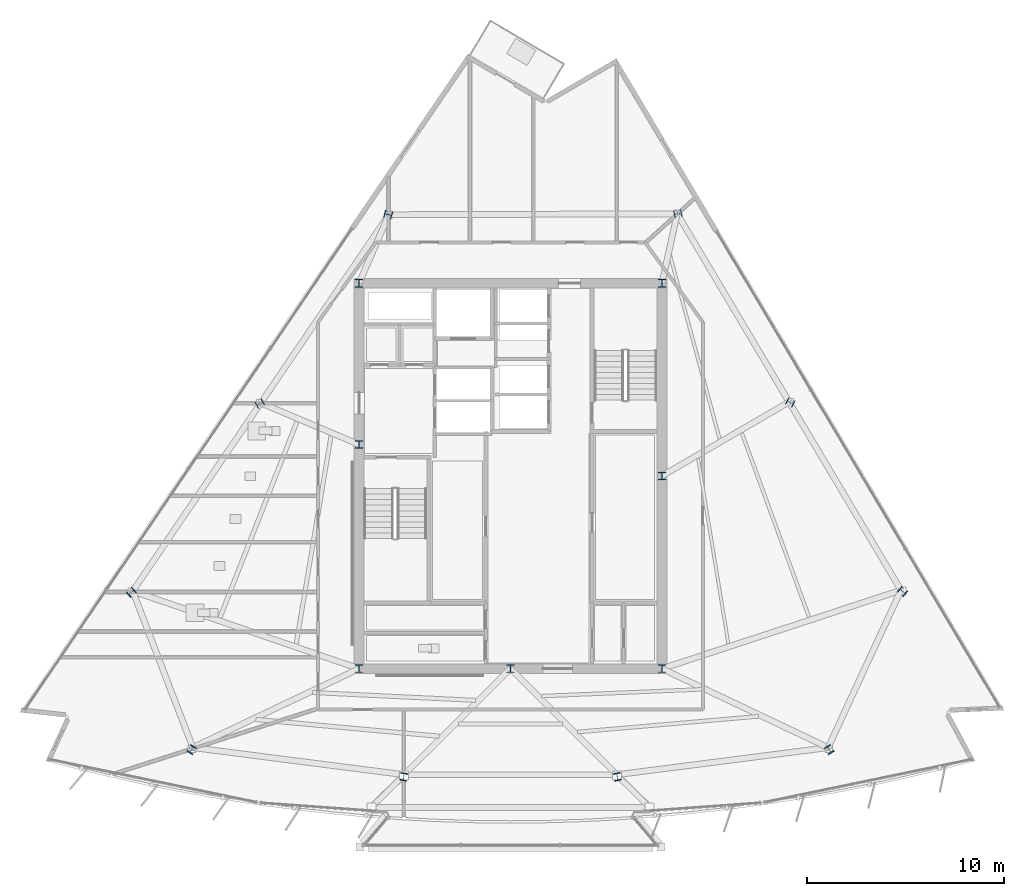
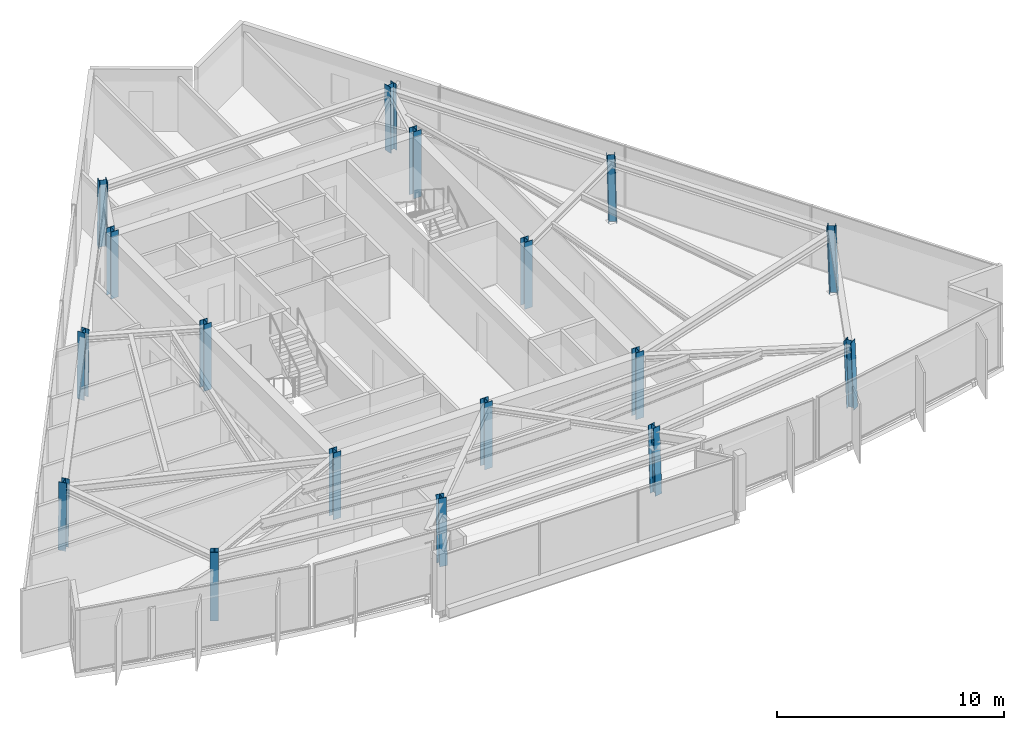
# One storey, part 1 of 14: 17 columns.
"""IFC4 building model written with IfcOpenShell, lengths in metres."""

from ifc_helpers import new_model, si_unit, direction, frame, origin, origin_2d, place, context, subcontext, project, spatial, i_section, extrude, material, material_profile, profile_set, type_object, element, save


model = new_model("IFC4")

# Units and contexts
model_context = context("Model", 3, precision=1e-05, world=origin(), true_north=direction((0.0, 1.0)))
body_context = subcontext(model_context, "Body", "Model", "MODEL_VIEW")
ifc_project = project(units=[si_unit("LENGTHUNIT", "METRE"), si_unit("AREAUNIT", "SQUARE_METRE"), si_unit("VOLUMEUNIT", "CUBIC_METRE"), si_unit("PLANEANGLEUNIT", "RADIAN"), si_unit("MASSUNIT", "GRAM", prefix="KILO")], contexts=[model_context])

# Site, building, storey
site_placement = place(None, origin())
site = spatial("IfcSite", under=ifc_project, at=site_placement, CompositionType="ELEMENT")
building_placement = place(site_placement, origin())
building = spatial("IfcBuilding", under=site, at=building_placement, Name="Savorim Split Tower", CompositionType="ELEMENT")
storey_placement = place(building_placement, frame((0.0, 0.0, 234.300048828125)))
storey = spatial("IfcBuildingStorey", under=building, at=storey_placement, Name="L62", CompositionType="ELEMENT", Elevation=234.300048828125)

# Columns
ifc_material = material(Name="Steel S355", Category="steel")
ifc_material_profile_1 = material_profile(ifc_material, i_section(OverallWidth=0.3740234375, OverallDepth=0.3720703125, WebThickness=0.01220703125, FlangeThickness=0.02001953125, FilletRadius=0.014892578125, at=origin_2d()), Name="HD 360x196")
ifc_profile_set_1 = profile_set([ifc_material_profile_1], Name="Steel S355")
column_type_1 = type_object("IfcColumnType", Name="COL-HD-196", PredefinedType="COLUMN", material=ifc_profile_set_1)
column_1_placement = place(storey_placement, frame((-16.225830078125, -13.533447265625, 0.00537109375), z_axis=(0.020594893987, 0.033509183946, 0.999226193078), x_axis=(-0.851954850327, 0.523615252838, 0.0)))
element("IfcColumn", 1, at=column_1_placement, inside=storey, type_object=column_type_1, Name="L62 Tapered Perimeter Column PC-S1", PredefinedType="COLUMN", context=body_context, shape_type="SweptSolid", body=[
    extrude(i_section(OverallWidth=0.3740234375, OverallDepth=0.3720703125, WebThickness=0.01220703125, FlangeThickness=0.02001953125, FilletRadius=0.014892578125, at=origin_2d()), origin(), (0.0, 0.0, 1.0), 3.591796875),
])
for number, where, z_axis, x_axis, name in (
    (2, (-5.43798828125, -14.91845703125, 0.00537109375), (0.006865841702, 0.035280909339, 0.999353850072), (-0.981585848295, 0.191021523464, 0.0), "L62 Tapered Perimeter Column PC-S2"),
    (3, (5.43798828125, -14.91845703125, 0.00537109375), (-0.006865841702, 0.035280909339, 0.999353850072), (-0.981585848295, -0.191021523464, 0.0), "L62 Tapered Perimeter Column PC-S3"),
):
    element("IfcColumn", number, at=place(storey_placement, frame(where, z_axis=z_axis, x_axis=x_axis)), inside=storey, type_object=column_type_1, Name=name, PredefinedType="COLUMN", context=body_context, shape_type="SweptSolid", body=[
        extrude(i_section(OverallWidth=0.3740234375, OverallDepth=0.3720703125, WebThickness=0.01220703125, FlangeThickness=0.02001953125, FilletRadius=0.014892578125, at=origin_2d()), origin(), (0.0, 0.0, 1.0), 3.591552734375),
    ])
column_2_placement = place(storey_placement, frame((16.225830078125, -13.533447265625, 0.00537109375), z_axis=(-0.020594893987, 0.033509183946, 0.999226193078), x_axis=(-0.851954850327, -0.523615252838, 0.0)))
element("IfcColumn", 4, at=column_2_placement, inside=storey, type_object=column_type_1, Name="L62 Tapered Perimeter Column PC-S4", PredefinedType="COLUMN", context=body_context, shape_type="SweptSolid", body=[
    extrude(i_section(OverallWidth=0.3740234375, OverallDepth=0.3720703125, WebThickness=0.01220703125, FlangeThickness=0.02001953125, FilletRadius=0.014892578125, at=origin_2d()), origin(), (0.0, 0.0, 1.0), 3.591796875),
])
column_3_placement = place(storey_placement, frame((19.9501953125, -5.486083984375, 0.00537109375), z_axis=(-0.026105663043, 0.021618752208, 0.999425396871), x_axis=(-0.637813971185, -0.770190455771, 0.0)))
element("IfcColumn", 5, at=column_3_placement, inside=storey, type_object=column_type_1, Name="L62 Tapered Perimeter Column PC-E1", PredefinedType="COLUMN", context=body_context, shape_type="SweptSolid", body=[
    extrude(i_section(OverallWidth=0.3740234375, OverallDepth=0.3720703125, WebThickness=0.01220703125, FlangeThickness=0.02001953125, FilletRadius=0.014892578125, at=origin_2d()), origin(), (0.0, 0.0, 1.0), 3.591064453125),
])
column_4_placement = place(storey_placement, frame((14.23486328125, 4.125732421875, 0.00537109375), z_axis=(-0.018974023902, 0.009521015578, 0.999774642947), x_axis=(-0.44849454954, -0.893785566583, 0.0)))
element("IfcColumn", 6, at=column_4_placement, inside=storey, type_object=column_type_1, Name="L62 Tapered Perimeter Column PC-E2", PredefinedType="COLUMN", context=body_context, shape_type="SweptSolid", body=[
    extrude(i_section(OverallWidth=0.3740234375, OverallDepth=0.3720703125, WebThickness=0.01220703125, FlangeThickness=0.02001953125, FilletRadius=0.014892578125, at=origin_2d()), origin(), (0.0, 0.0, 1.0), 3.58984375),
])
for number, where, z_axis, x_axis, name in (
    (7, (8.519287109375, 13.73779296875, 0.00537109375), (-0.011699044583, -0.00258467264, 0.999928223336), (0.215728093413, -0.976453475447, 0.0), "L62 Tapered Perimeter Column PC-E3"),
    (8, (-6.217529296875, 13.68896484375, 0.00537109375), (0.008774546149, -0.002584750028, 0.999958162328), (0.282568886397, 0.959247009086, 0.0), "L62 Tapered Perimeter Column PC-W1"),
):
    element("IfcColumn", number, at=place(storey_placement, frame(where, z_axis=z_axis, x_axis=x_axis)), inside=storey, type_object=column_type_1, Name=name, PredefinedType="COLUMN", context=body_context, shape_type="SweptSolid", body=[
        extrude(i_section(OverallWidth=0.3740234375, OverallDepth=0.3720703125, WebThickness=0.01220703125, FlangeThickness=0.02001953125, FilletRadius=0.014892578125, at=origin_2d()), origin(), (0.0, 0.0, 1.0), 3.58935546875),
    ])
column_5_placement = place(storey_placement, frame((-12.75634765625, 4.076904296875, 0.00537109375), z_axis=(0.01700241672, 0.009521353363, 0.999810112799), x_axis=(-0.488603368932, 0.87250601595, 0.0)))
element("IfcColumn", 9, at=column_5_placement, inside=storey, type_object=column_type_1, Name="L62 Tapered Perimeter Column PC-W2", PredefinedType="COLUMN", context=body_context, shape_type="SweptSolid", body=[
    extrude(i_section(OverallWidth=0.3740234375, OverallDepth=0.3720703125, WebThickness=0.01220703125, FlangeThickness=0.02001953125, FilletRadius=0.014892578125, at=origin_2d()), origin(), (0.0, 0.0, 1.0), 3.58984375),
])
column_6_placement = place(storey_placement, frame((-19.295166015625, -5.534912109375, 0.00537109375), z_axis=(0.025222449659, 0.021619242565, 0.999448065876), x_axis=(-0.650791373456, 0.759256602365, 0.0)))
element("IfcColumn", 10, at=column_6_placement, inside=storey, type_object=column_type_1, Name="L62 Tapered Perimeter Column PC-W3", PredefinedType="COLUMN", context=body_context, shape_type="SweptSolid", body=[
    extrude(i_section(OverallWidth=0.3740234375, OverallDepth=0.3720703125, WebThickness=0.01220703125, FlangeThickness=0.02001953125, FilletRadius=0.014892578125, at=origin_2d()), origin(), (0.0, 0.0, 1.0), 3.591064453125),
])
ifc_material_profile_2 = material_profile(ifc_material, i_section(OverallWidth=0.39794921875, OverallDepth=0.386962890625, WebThickness=0.013427734375, FlangeThickness=0.02197265625, FilletRadius=0.014892578125, at=origin_2d()), Name="HD 400x262")
ifc_profile_set_2 = profile_set([ifc_material_profile_2], Name="Steel S355")
column_type_2 = type_object("IfcColumnType", Name="COL-HD-262", PredefinedType="COLUMN", material=ifc_profile_set_2)
for number, where, z_axis, x_axis, name in (
    (11, (-7.699951171875, -9.39990234375, 0.0), (0.0, 0.0, 1.0), (1.0, 0.0, 0.0), "L62 Core Structural Column TC-C1"),
    (12, (7.699951171875, -9.39990234375, 0.0), (0.0, 0.0, 1.0), (1.0, 0.0, 0.0), "L62 Core Structural Column TC-C2"),
    (13, (7.699951171875, 10.199951171875, 0.0), (0.0, 0.0, 1.0), (1.0, 0.0, 0.0), "L62 Core Structural Column TC-C3"),
    (14, (-7.699951171875, 10.199951171875, 0.0), (0.0, 0.0, 1.0), (1.0, 0.0, 0.0), "L62 Core Structural Column TC-C4"),
    (15, (0.0, -9.39990234375, 0.0), (0.0, 0.0, 1.0), (1.0, 0.0, 0.0), "L62 Core Structural Column TC-C5"),
    (16, (7.699951171875, 0.39990234375, 0.0), (0.0, 0.0, 1.0), (1.0, 0.0, 0.0), "L62 Core Structural Column TC-C6"),
    (17, (-7.699951171875, 2.0, 0.0), (0.0, 0.0, 1.0), (1.0, 0.0, 0.0), "L62 Core Structural Column TC-C7"),
):
    element("IfcColumn", number, at=place(storey_placement, frame(where, z_axis=z_axis, x_axis=x_axis)), inside=storey, type_object=column_type_2, Name=name, PredefinedType="COLUMN", context=body_context, shape_type="SweptSolid", body=[
        extrude(i_section(OverallWidth=0.39794921875, OverallDepth=0.386962890625, WebThickness=0.013427734375, FlangeThickness=0.02197265625, FilletRadius=0.014892578125, at=origin_2d()), origin(), (0.0, 0.0, 1.0), 3.599853515625),
    ])

save(model, "model.ifc")
